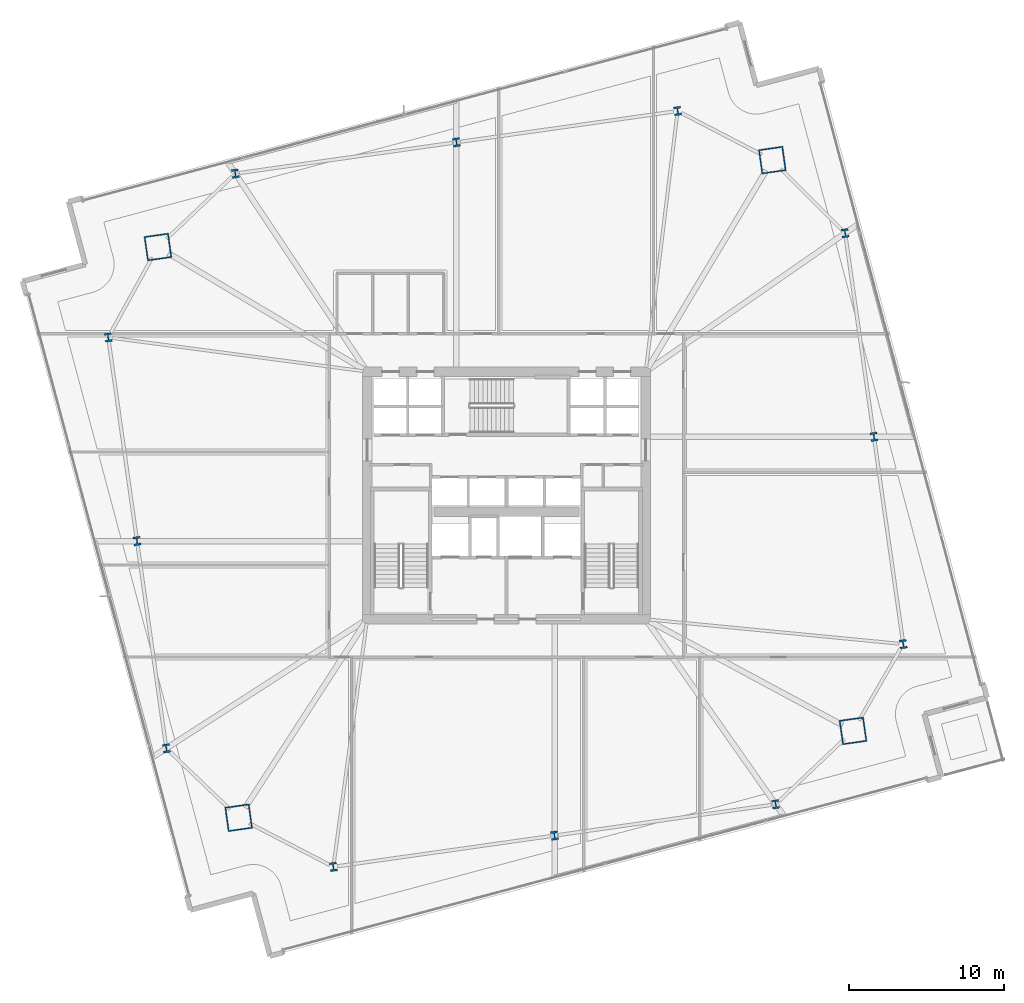
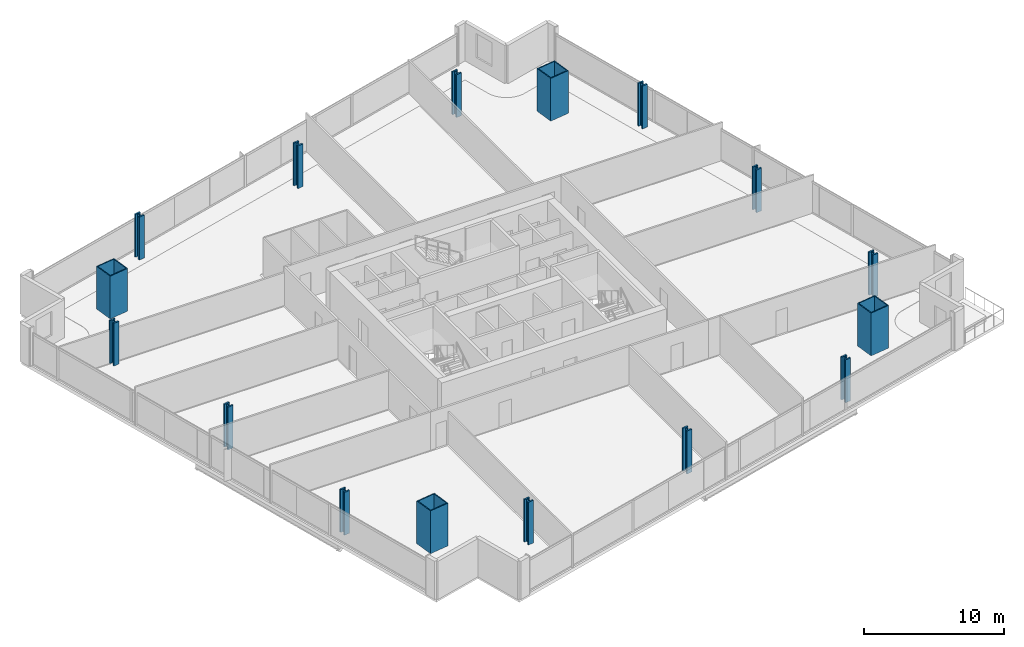
# One storey, part 1 of 33: 16 columns.
"""IFC4 building model written with IfcOpenShell, lengths in metres."""

from ifc_helpers import new_model, si_unit, direction, frame, origin, origin_2d, place, context, subcontext, project, spatial, hollow_rectangle, i_section, extrude, material, material_profile, profile_set, type_object, element, save


model = new_model("IFC4")

# Units and contexts
model_context = context("Model", 3, precision=1e-05, world=origin(), true_north=direction((0.0, 1.0)))
body_context = subcontext(model_context, "Body", "Model", "MODEL_VIEW")
ifc_project = project(units=[si_unit("LENGTHUNIT", "METRE"), si_unit("AREAUNIT", "SQUARE_METRE"), si_unit("VOLUMEUNIT", "CUBIC_METRE"), si_unit("PLANEANGLEUNIT", "RADIAN"), si_unit("MASSUNIT", "GRAM", prefix="KILO")], contexts=[model_context])

# Site, building, storey
site_placement = place(None, origin())
site = spatial("IfcSite", under=ifc_project, at=site_placement, CompositionType="ELEMENT")
building_placement = place(site_placement, origin())
building = spatial("IfcBuilding", under=site, at=building_placement, Name="Haldenkirk Collegiate Tower", CompositionType="ELEMENT")
storey_placement = place(building_placement, frame((0.0, 0.0, 77.699951171875)))
storey = spatial("IfcBuildingStorey", under=building, at=storey_placement, Name="L18", CompositionType="ELEMENT", Elevation=77.699951171875)

# Columns
ifc_material_1 = material(Name="Steel ASTM A913 Grade 65", Category="steel")
ifc_material_profile_1 = material_profile(ifc_material_1, i_section(OverallWidth=0.4541015625, OverallDepth=0.569091796875, WebThickness=0.077880859375, FlangeThickness=0.124755859375, at=origin_2d()), Name="W14X730")
ifc_profile_set_1 = profile_set([ifc_material_profile_1], Name="Steel ASTM A913 Grade 65")
column_type_1 = type_object("IfcColumnType", Name="COL-INT-W14X730", PredefinedType="COLUMN", material=ifc_profile_set_1)
for number, where, z_axis, x_axis, name in (
    (1, (24.815185546875, 1.997314453125, 0.0), (0.0, 0.0, 1.0), (0.990146240249, 0.140037219771, 0.0), "L18 perimeter gravity column PC-S1"),
    (2, (39.10888671875, 4.018798828125, 0.0), (0.0, 0.0, 1.0), (0.990146240249, 0.140037219771, 0.0), "L18 perimeter gravity column PC-S2"),
    (3, (53.402587890625, 6.040283203125, 0.0), (0.0, 0.0, 1.0), (0.990146240249, 0.140037219771, 0.0), "L18 perimeter gravity column PC-S3"),
    (4, (61.648193359375, 16.39306640625, 0.0), (0.0, 0.0, 1.0), (0.990146240249, 0.140037219771, 0.0), "L18 perimeter gravity column PC-E1"),
    (5, (59.75341796875, 29.788818359375, 0.0), (0.0, 0.0, 1.0), (0.990146240249, 0.140037219771, 0.0), "L18 perimeter gravity column PC-E2"),
    (6, (57.892333984375, 42.94873046875, 0.0), (0.0, 0.0, 1.0), (0.990146240249, 0.140037219771, 0.0), "L18 perimeter gravity column PC-E3"),
    (7, (47.06591796875, 50.844482421875, 0.0), (0.0, 0.0, 1.0), (0.990146240249, 0.140037219771, 0.0), "L18 perimeter gravity column PC-N1"),
    (8, (32.772216796875, 48.822998046875, 0.0), (0.0, 0.0, 1.0), (0.990146240249, 0.140037219771, 0.0), "L18 perimeter gravity column PC-N2"),
    (9, (18.478515625, 46.80126953125, 0.0), (0.0, 0.0, 1.0), (0.990146240249, 0.140037219771, 0.0), "L18 perimeter gravity column PC-N3"),
    (10, (10.26611328125, 36.212890625, 0.0), (0.0, 0.0, 1.0), (0.990146240249, 0.140037219771, 0.0), "L18 perimeter gravity column PC-W1"),
    (11, (12.12744140625, 23.052978515625, 0.0), (0.0, 0.0, 1.0), (0.990146240249, 0.140037219771, 0.0), "L18 perimeter gravity column PC-W2"),
    (12, (14.02197265625, 9.6572265625, 0.0), (0.0, 0.0, 1.0), (0.990146240249, 0.140037219771, 0.0), "L18 perimeter gravity column PC-W3"),
):
    element("IfcColumn", number, at=place(storey_placement, frame(where, z_axis=z_axis, x_axis=x_axis)), inside=storey, type_object=column_type_1, Name=name, PredefinedType="COLUMN", context=body_context, shape_type="SweptSolid", body=[
        extrude(i_section(OverallWidth=0.4541015625, OverallDepth=0.569091796875, WebThickness=0.077880859375, FlangeThickness=0.124755859375, at=origin_2d()), origin(), (0.0, 0.0, 1.0), 3.75),
    ])
ifc_material_2 = material(Name="Steel ASTM A572 Grade 50", Category="steel")
ifc_material_profile_2 = material_profile(ifc_material_2, hollow_rectangle(XDim=1.60009765625, YDim=1.60009765625, WallThickness=0.080078125, at=origin_2d()), Name="BOX1600X1600X80")
ifc_profile_set_2 = profile_set([ifc_material_profile_2], Name="Steel ASTM A572 Grade 50")
column_type_2 = type_object("IfcColumnType", Name="COL-MEGA-BOX1600X1600X80", PredefinedType="COLUMN", material=ifc_profile_set_2)
for number, where, z_axis, x_axis, name in (
    (13, (18.6962890625, 5.171630859375, 0.0), (0.0, 0.0, 1.0), (0.990146240249, 0.140037219771, 0.0), "L18 corner mega-column MC1"),
    (14, (58.401123046875, 10.787109375, 0.0), (0.0, 0.0, 1.0), (0.990146240249, 0.140037219771, 0.0), "L18 corner mega-column MC2"),
    (15, (53.184814453125, 47.669921875, 0.0), (0.0, 0.0, 1.0), (0.990146240249, 0.140037219771, 0.0), "L18 corner mega-column MC3"),
    (16, (13.47998046875, 42.054443359375, 0.0), (0.0, 0.0, 1.0), (0.990146240249, 0.140037219771, 0.0), "L18 corner mega-column MC4"),
):
    element("IfcColumn", number, at=place(storey_placement, frame(where, z_axis=z_axis, x_axis=x_axis)), inside=storey, type_object=column_type_2, Name=name, PredefinedType="COLUMN", context=body_context, shape_type="SweptSolid", body=[
        extrude(hollow_rectangle(XDim=1.60009765625, YDim=1.60009765625, WallThickness=0.080078125, at=origin_2d()), origin(), (0.0, 0.0, 1.0), 3.75),
    ])

save(model, "model.ifc")
